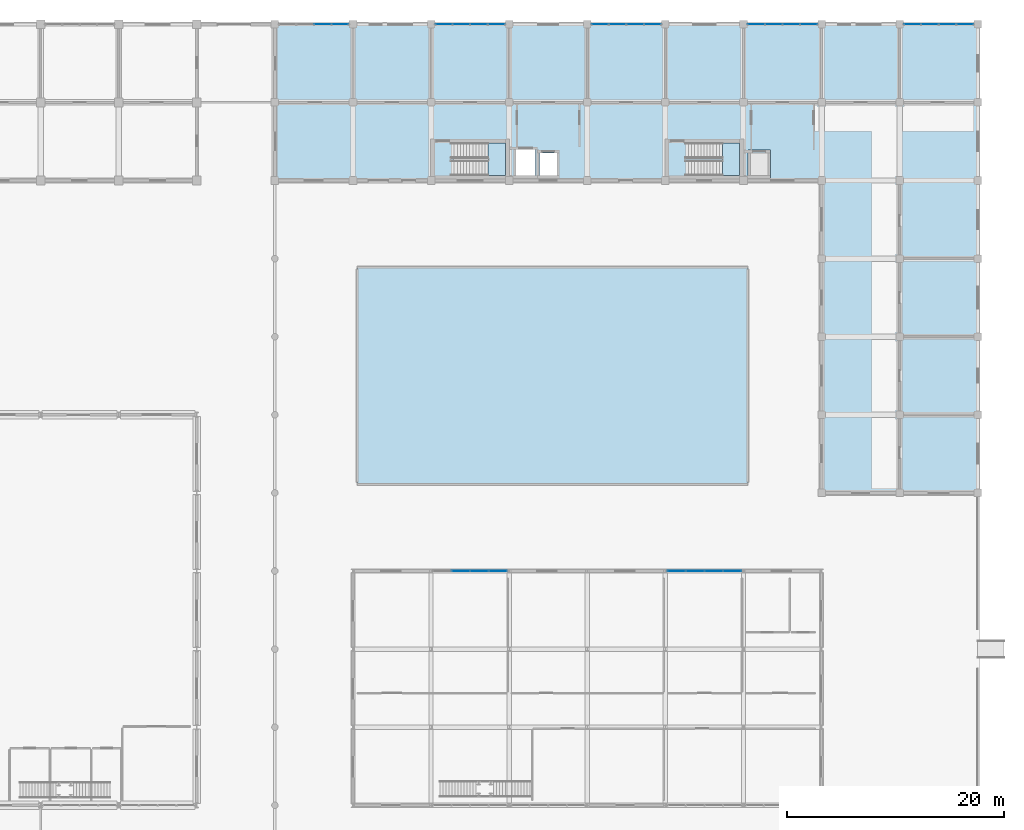
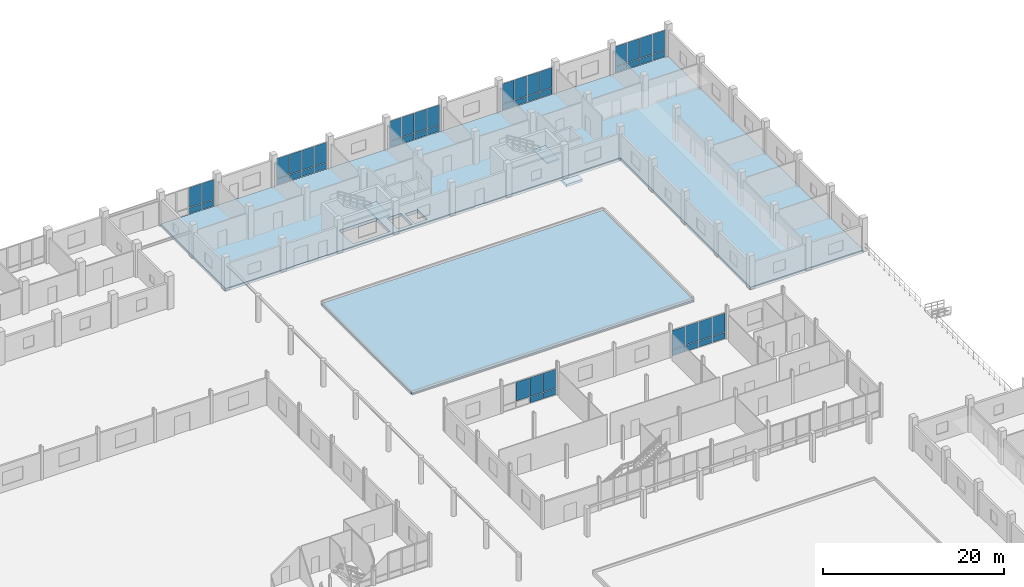
# One storey, part 108 of 139: 49 plates, 5 slabs, 9 elements without a shape of their own.
"""IFC4 building model written with IfcOpenShell, lengths in metres."""

from ifc_helpers import new_model, si_unit, direction, frame, origin, origin_2d, place, context, subcontext, project, spatial, polyline, rectangle, outline, extrude, material, layer, layer_set, type_object, element, aggregate, save


model = new_model("IFC4")

# Units and contexts
model_context = context("Model", 3, precision=1e-05, world=origin(), true_north=direction((0.0, 1.0)))
body_context = subcontext(model_context, "Body", "Model", "MODEL_VIEW")
ifc_project = project(units=[si_unit("LENGTHUNIT", "METRE"), si_unit("AREAUNIT", "SQUARE_METRE"), si_unit("VOLUMEUNIT", "CUBIC_METRE"), si_unit("PLANEANGLEUNIT", "RADIAN"), si_unit("MASSUNIT", "GRAM", prefix="KILO")], contexts=[model_context])

# Site, building, storey
site_placement = place(None, origin())
site = spatial("IfcSite", under=ifc_project, at=site_placement, CompositionType="ELEMENT")
building_placement = place(site_placement, origin())
building = spatial("IfcBuilding", under=site, at=building_placement, Name="Suanplinth Sawtooth Commons", CompositionType="ELEMENT")
storey_placement = place(building_placement, origin())
storey = spatial("IfcBuildingStorey", under=building, at=storey_placement, Name="L00", CompositionType="ELEMENT", Elevation=0.0)

# Curtain wall, plates
ifc_material_1 = material(Name="Anodized aluminium and low-E glazing", Category="aluminium")
curtain_wall_type_1 = type_object("IfcCurtainWallType", Name="CW-02", PredefinedType="USERDEFINED", material=ifc_material_1)
curtain_wall_1_placement = place(storey_placement, origin())
curtain_wall_1 = element("IfcCurtainWall", 1, at=curtain_wall_1_placement, inside=storey, type_object=curtain_wall_type_1, Name="Curtain Wall CW-L00-NURS-N-19", ObjectType="CURTAIN WALL", PredefinedType="USERDEFINED")
ifc_material_2 = material(Name="Tempered low-E double glazing", Category="glass")
ifc_layer_1 = layer(ifc_material_2, 0.028076171875, Name="Vision low-E insulated glazing unit 28mm")
ifc_layer_set_1 = layer_set([ifc_layer_1], Name="Tempered low-E double glazing")
plate_type = type_object("IfcPlateType", Name="PL-05", PredefinedType="CURTAIN_PANEL", material=ifc_layer_set_1)
plate_1_placement = place(storey_placement, frame((139.53759765625, 72.0, 0.9326171875), z_axis=(0.0, 0.0, 1.0), x_axis=(1.0, 0.0, 0.0)))
plate_1 = element("IfcPlate", 2, at=plate_1_placement, type_object=plate_type, Name="CW-02 panel 2.2", PredefinedType="CURTAIN_PANEL", context=body_context, shape_type="SweptSolid", body=[
    extrude(rectangle(XDim=1.659912109375, YDim=0.028076171875, at=origin_2d()), origin(), (0.0, 0.0, 1.0), 2.552490234375),
])
plate_2_placement = place(storey_placement, frame((141.262451171875, 72.0, 0.06494140625), z_axis=(0.0, 0.0, 1.0), x_axis=(1.0, 0.0, 0.0)))
plate_2 = element("IfcPlate", 3, at=plate_2_placement, type_object=plate_type, Name="CW-02 panel 3.1", PredefinedType="CURTAIN_PANEL", context=body_context, shape_type="SweptSolid", body=[
    extrude(rectangle(XDim=1.659912109375, YDim=0.028076171875, at=origin_2d()), origin(), (0.0, 0.0, 1.0), 0.802490234375),
])
plate_3_placement = place(storey_placement, frame((141.262451171875, 72.0, 0.9326171875), z_axis=(0.0, 0.0, 1.0), x_axis=(1.0, 0.0, 0.0)))
plate_3 = element("IfcPlate", 4, at=plate_3_placement, type_object=plate_type, Name="CW-02 panel 3.2", PredefinedType="CURTAIN_PANEL", context=body_context, shape_type="SweptSolid", body=[
    extrude(rectangle(XDim=1.659912109375, YDim=0.028076171875, at=origin_2d()), origin(), (0.0, 0.0, 1.0), 2.552490234375),
])
plate_4_placement = place(storey_placement, frame((142.97119140625, 72.0, 0.06494140625), z_axis=(0.0, 0.0, 1.0), x_axis=(1.0, 0.0, 0.0)))
plate_4 = element("IfcPlate", 5, at=plate_4_placement, type_object=plate_type, Name="CW-02 panel 4.1", PredefinedType="CURTAIN_PANEL", context=body_context, shape_type="SweptSolid", body=[
    extrude(rectangle(XDim=1.62744140625, YDim=0.028076171875, at=origin_2d()), origin(), (0.0, 0.0, 1.0), 0.802490234375),
])
plate_5_placement = place(storey_placement, frame((142.97119140625, 72.0, 0.9326171875), z_axis=(0.0, 0.0, 1.0), x_axis=(1.0, 0.0, 0.0)))
plate_5 = element("IfcPlate", 6, at=plate_5_placement, type_object=plate_type, Name="CW-02 panel 4.2", PredefinedType="CURTAIN_PANEL", context=body_context, shape_type="SweptSolid", body=[
    extrude(rectangle(XDim=1.62744140625, YDim=0.028076171875, at=origin_2d()), origin(), (0.0, 0.0, 1.0), 2.552490234375),
])
aggregate(curtain_wall_1, [plate_1, plate_2, plate_3, plate_4, plate_5])

curtain_wall_2_placement = place(storey_placement, origin())
curtain_wall_2 = element("IfcCurtainWall", 7, at=curtain_wall_2_placement, inside=storey, type_object=curtain_wall_type_1, Name="Curtain Wall CW-L00-NURS-N-22", ObjectType="CURTAIN WALL", PredefinedType="USERDEFINED")
plate_6_placement = place(storey_placement, frame((159.4287109375, 72.0, 0.06494140625), z_axis=(0.0, 0.0, 1.0), x_axis=(1.0, 0.0, 0.0)))
plate_6 = element("IfcPlate", 8, at=plate_6_placement, type_object=plate_type, Name="CW-02 panel 1.1", PredefinedType="CURTAIN_PANEL", context=body_context, shape_type="SweptSolid", body=[
    extrude(rectangle(XDim=1.62744140625, YDim=0.028076171875, at=origin_2d()), origin(), (0.0, 0.0, 1.0), 0.802490234375),
])
plate_7_placement = place(storey_placement, frame((159.4287109375, 72.0, 0.9326171875), z_axis=(0.0, 0.0, 1.0), x_axis=(1.0, 0.0, 0.0)))
plate_7 = element("IfcPlate", 9, at=plate_7_placement, type_object=plate_type, Name="CW-02 panel 1.2", PredefinedType="CURTAIN_PANEL", context=body_context, shape_type="SweptSolid", body=[
    extrude(rectangle(XDim=1.62744140625, YDim=0.028076171875, at=origin_2d()), origin(), (0.0, 0.0, 1.0), 2.552490234375),
])
plate_8_placement = place(storey_placement, frame((161.137451171875, 72.0, 0.06494140625), z_axis=(0.0, 0.0, 1.0), x_axis=(1.0, 0.0, 0.0)))
plate_8 = element("IfcPlate", 10, at=plate_8_placement, type_object=plate_type, Name="CW-02 panel 2.1", PredefinedType="CURTAIN_PANEL", context=body_context, shape_type="SweptSolid", body=[
    extrude(rectangle(XDim=1.659912109375, YDim=0.028076171875, at=origin_2d()), origin(), (0.0, 0.0, 1.0), 0.802490234375),
])
plate_9_placement = place(storey_placement, frame((161.137451171875, 72.0, 0.9326171875), z_axis=(0.0, 0.0, 1.0), x_axis=(1.0, 0.0, 0.0)))
plate_9 = element("IfcPlate", 11, at=plate_9_placement, type_object=plate_type, Name="CW-02 panel 2.2", PredefinedType="CURTAIN_PANEL", context=body_context, shape_type="SweptSolid", body=[
    extrude(rectangle(XDim=1.659912109375, YDim=0.028076171875, at=origin_2d()), origin(), (0.0, 0.0, 1.0), 2.552490234375),
])
plate_10_placement = place(storey_placement, frame((162.862548828125, 72.0, 0.06494140625), z_axis=(0.0, 0.0, 1.0), x_axis=(1.0, 0.0, 0.0)))
plate_10 = element("IfcPlate", 12, at=plate_10_placement, type_object=plate_type, Name="CW-02 panel 3.1", PredefinedType="CURTAIN_PANEL", context=body_context, shape_type="SweptSolid", body=[
    extrude(rectangle(XDim=1.659912109375, YDim=0.028076171875, at=origin_2d()), origin(), (0.0, 0.0, 1.0), 0.802490234375),
])
plate_11_placement = place(storey_placement, frame((162.862548828125, 72.0, 0.9326171875), z_axis=(0.0, 0.0, 1.0), x_axis=(1.0, 0.0, 0.0)))
plate_11 = element("IfcPlate", 13, at=plate_11_placement, type_object=plate_type, Name="CW-02 panel 3.2", PredefinedType="CURTAIN_PANEL", context=body_context, shape_type="SweptSolid", body=[
    extrude(rectangle(XDim=1.659912109375, YDim=0.028076171875, at=origin_2d()), origin(), (0.0, 0.0, 1.0), 2.552490234375),
])
plate_12_placement = place(storey_placement, frame((164.5712890625, 72.0, 0.06494140625), z_axis=(0.0, 0.0, 1.0), x_axis=(1.0, 0.0, 0.0)))
plate_12 = element("IfcPlate", 14, at=plate_12_placement, type_object=plate_type, Name="CW-02 panel 4.1", PredefinedType="CURTAIN_PANEL", context=body_context, shape_type="SweptSolid", body=[
    extrude(rectangle(XDim=1.62744140625, YDim=0.028076171875, at=origin_2d()), origin(), (0.0, 0.0, 1.0), 0.802490234375),
])
plate_13_placement = place(storey_placement, frame((164.5712890625, 72.0, 0.9326171875), z_axis=(0.0, 0.0, 1.0), x_axis=(1.0, 0.0, 0.0)))
plate_13 = element("IfcPlate", 15, at=plate_13_placement, type_object=plate_type, Name="CW-02 panel 4.2", PredefinedType="CURTAIN_PANEL", context=body_context, shape_type="SweptSolid", body=[
    extrude(rectangle(XDim=1.62744140625, YDim=0.028076171875, at=origin_2d()), origin(), (0.0, 0.0, 1.0), 2.552490234375),
])
aggregate(curtain_wall_2, [plate_6, plate_7, plate_8, plate_9, plate_10, plate_11, plate_12, plate_13])

curtain_wall_type_2 = type_object("IfcCurtainWallType", Name="CW-04", PredefinedType="USERDEFINED", material=ifc_material_1)
curtain_wall_3_placement = place(storey_placement, origin())
curtain_wall_3 = element("IfcCurtainWall", 16, at=curtain_wall_3_placement, inside=storey, type_object=curtain_wall_type_2, Name="Curtain Wall CW-L00-B-N-17", ObjectType="CURTAIN WALL", PredefinedType="USERDEFINED")
plate_14_placement = place(storey_placement, frame((126.8125, 122.39990234375, 0.06494140625), z_axis=(0.0, 0.0, 1.0), x_axis=(1.0, 0.0, 0.0)))
plate_14 = element("IfcPlate", 17, at=plate_14_placement, type_object=plate_type, Name="CW-04 panel 3.1", PredefinedType="CURTAIN_PANEL", context=body_context, shape_type="SweptSolid", body=[
    extrude(rectangle(XDim=1.56005859375, YDim=0.028076171875, at=origin_2d()), origin(), (0.0, 0.0, 1.0), 0.802490234375),
])
plate_15_placement = place(storey_placement, frame((126.8125, 122.39990234375, 0.932373046875), z_axis=(0.0, 0.0, 1.0), x_axis=(1.0, 0.0, 0.0)))
plate_15 = element("IfcPlate", 18, at=plate_15_placement, type_object=plate_type, Name="CW-04 panel 3.2", PredefinedType="CURTAIN_PANEL", context=body_context, shape_type="SweptSolid", body=[
    extrude(rectangle(XDim=1.56005859375, YDim=0.028076171875, at=origin_2d()), origin(), (0.0, 0.0, 1.0), 2.6826171875),
])
plate_16_placement = place(storey_placement, frame((128.421142578125, 122.39990234375, 0.06494140625), z_axis=(0.0, 0.0, 1.0), x_axis=(1.0, 0.0, 0.0)))
plate_16 = element("IfcPlate", 19, at=plate_16_placement, type_object=plate_type, Name="CW-04 panel 4.1", PredefinedType="CURTAIN_PANEL", context=body_context, shape_type="SweptSolid", body=[
    extrude(rectangle(XDim=1.527587890625, YDim=0.028076171875, at=origin_2d()), origin(), (0.0, 0.0, 1.0), 0.802490234375),
])
plate_17_placement = place(storey_placement, frame((128.421142578125, 122.39990234375, 0.932373046875), z_axis=(0.0, 0.0, 1.0), x_axis=(1.0, 0.0, 0.0)))
plate_17 = element("IfcPlate", 20, at=plate_17_placement, type_object=plate_type, Name="CW-04 panel 4.2", PredefinedType="CURTAIN_PANEL", context=body_context, shape_type="SweptSolid", body=[
    extrude(rectangle(XDim=1.527587890625, YDim=0.028076171875, at=origin_2d()), origin(), (0.0, 0.0, 1.0), 2.6826171875),
])
aggregate(curtain_wall_3, [plate_14, plate_15, plate_16, plate_17])

curtain_wall_4_placement = place(storey_placement, origin())
curtain_wall_4 = element("IfcCurtainWall", 21, at=curtain_wall_4_placement, inside=storey, type_object=curtain_wall_type_2, Name="Curtain Wall CW-L00-B-N-19", ObjectType="CURTAIN WALL", PredefinedType="USERDEFINED")
plate_18_placement = place(storey_placement, frame((137.978759765625, 122.39990234375, 0.06494140625), z_axis=(0.0, 0.0, 1.0), x_axis=(1.0, 0.0, 0.0)))
plate_18 = element("IfcPlate", 22, at=plate_18_placement, type_object=plate_type, Name="CW-04 panel 1.1", PredefinedType="CURTAIN_PANEL", context=body_context, shape_type="SweptSolid", body=[
    extrude(rectangle(XDim=1.527587890625, YDim=0.028076171875, at=origin_2d()), origin(), (0.0, 0.0, 1.0), 0.802490234375),
])
plate_19_placement = place(storey_placement, frame((137.978759765625, 122.39990234375, 0.932373046875), z_axis=(0.0, 0.0, 1.0), x_axis=(1.0, 0.0, 0.0)))
plate_19 = element("IfcPlate", 23, at=plate_19_placement, type_object=plate_type, Name="CW-04 panel 1.2", PredefinedType="CURTAIN_PANEL", context=body_context, shape_type="SweptSolid", body=[
    extrude(rectangle(XDim=1.527587890625, YDim=0.028076171875, at=origin_2d()), origin(), (0.0, 0.0, 1.0), 2.6826171875),
])
plate_20_placement = place(storey_placement, frame((139.58740234375, 122.39990234375, 0.06494140625), z_axis=(0.0, 0.0, 1.0), x_axis=(1.0, 0.0, 0.0)))
plate_20 = element("IfcPlate", 24, at=plate_20_placement, type_object=plate_type, Name="CW-04 panel 2.1", PredefinedType="CURTAIN_PANEL", context=body_context, shape_type="SweptSolid", body=[
    extrude(rectangle(XDim=1.56005859375, YDim=0.028076171875, at=origin_2d()), origin(), (0.0, 0.0, 1.0), 0.802490234375),
])
plate_21_placement = place(storey_placement, frame((139.58740234375, 122.39990234375, 0.932373046875), z_axis=(0.0, 0.0, 1.0), x_axis=(1.0, 0.0, 0.0)))
plate_21 = element("IfcPlate", 25, at=plate_21_placement, type_object=plate_type, Name="CW-04 panel 2.2", PredefinedType="CURTAIN_PANEL", context=body_context, shape_type="SweptSolid", body=[
    extrude(rectangle(XDim=1.56005859375, YDim=0.028076171875, at=origin_2d()), origin(), (0.0, 0.0, 1.0), 2.6826171875),
])
plate_22_placement = place(storey_placement, frame((141.21240234375, 122.39990234375, 0.06494140625), z_axis=(0.0, 0.0, 1.0), x_axis=(1.0, 0.0, 0.0)))
plate_22 = element("IfcPlate", 26, at=plate_22_placement, type_object=plate_type, Name="CW-04 panel 3.1", PredefinedType="CURTAIN_PANEL", context=body_context, shape_type="SweptSolid", body=[
    extrude(rectangle(XDim=1.56005859375, YDim=0.028076171875, at=origin_2d()), origin(), (0.0, 0.0, 1.0), 0.802490234375),
])
plate_23_placement = place(storey_placement, frame((141.21240234375, 122.39990234375, 0.932373046875), z_axis=(0.0, 0.0, 1.0), x_axis=(1.0, 0.0, 0.0)))
plate_23 = element("IfcPlate", 27, at=plate_23_placement, type_object=plate_type, Name="CW-04 panel 3.2", PredefinedType="CURTAIN_PANEL", context=body_context, shape_type="SweptSolid", body=[
    extrude(rectangle(XDim=1.56005859375, YDim=0.028076171875, at=origin_2d()), origin(), (0.0, 0.0, 1.0), 2.6826171875),
])
plate_24_placement = place(storey_placement, frame((142.8212890625, 122.39990234375, 0.06494140625), z_axis=(0.0, 0.0, 1.0), x_axis=(1.0, 0.0, 0.0)))
plate_24 = element("IfcPlate", 28, at=plate_24_placement, type_object=plate_type, Name="CW-04 panel 4.1", PredefinedType="CURTAIN_PANEL", context=body_context, shape_type="SweptSolid", body=[
    extrude(rectangle(XDim=1.527587890625, YDim=0.028076171875, at=origin_2d()), origin(), (0.0, 0.0, 1.0), 0.802490234375),
])
plate_25_placement = place(storey_placement, frame((142.8212890625, 122.39990234375, 0.932373046875), z_axis=(0.0, 0.0, 1.0), x_axis=(1.0, 0.0, 0.0)))
plate_25 = element("IfcPlate", 29, at=plate_25_placement, type_object=plate_type, Name="CW-04 panel 4.2", PredefinedType="CURTAIN_PANEL", context=body_context, shape_type="SweptSolid", body=[
    extrude(rectangle(XDim=1.527587890625, YDim=0.028076171875, at=origin_2d()), origin(), (0.0, 0.0, 1.0), 2.6826171875),
])
aggregate(curtain_wall_4, [plate_18, plate_19, plate_20, plate_21, plate_22, plate_23, plate_24, plate_25])

curtain_wall_5_placement = place(storey_placement, origin())
curtain_wall_5 = element("IfcCurtainWall", 30, at=curtain_wall_5_placement, inside=storey, type_object=curtain_wall_type_2, Name="Curtain Wall CW-L00-B-N-21", ObjectType="CURTAIN WALL", PredefinedType="USERDEFINED")
plate_26_placement = place(storey_placement, frame((152.378662109375, 122.39990234375, 0.06494140625), z_axis=(0.0, 0.0, 1.0), x_axis=(1.0, 0.0, 0.0)))
plate_26 = element("IfcPlate", 31, at=plate_26_placement, type_object=plate_type, Name="CW-04 panel 1.1", PredefinedType="CURTAIN_PANEL", context=body_context, shape_type="SweptSolid", body=[
    extrude(rectangle(XDim=1.527587890625, YDim=0.028076171875, at=origin_2d()), origin(), (0.0, 0.0, 1.0), 0.802490234375),
])
plate_27_placement = place(storey_placement, frame((152.378662109375, 122.39990234375, 0.932373046875), z_axis=(0.0, 0.0, 1.0), x_axis=(1.0, 0.0, 0.0)))
plate_27 = element("IfcPlate", 32, at=plate_27_placement, type_object=plate_type, Name="CW-04 panel 1.2", PredefinedType="CURTAIN_PANEL", context=body_context, shape_type="SweptSolid", body=[
    extrude(rectangle(XDim=1.527587890625, YDim=0.028076171875, at=origin_2d()), origin(), (0.0, 0.0, 1.0), 2.6826171875),
])
plate_28_placement = place(storey_placement, frame((153.987548828125, 122.39990234375, 0.06494140625), z_axis=(0.0, 0.0, 1.0), x_axis=(1.0, 0.0, 0.0)))
plate_28 = element("IfcPlate", 33, at=plate_28_placement, type_object=plate_type, Name="CW-04 panel 2.1", PredefinedType="CURTAIN_PANEL", context=body_context, shape_type="SweptSolid", body=[
    extrude(rectangle(XDim=1.56005859375, YDim=0.028076171875, at=origin_2d()), origin(), (0.0, 0.0, 1.0), 0.802490234375),
])
plate_29_placement = place(storey_placement, frame((153.987548828125, 122.39990234375, 0.932373046875), z_axis=(0.0, 0.0, 1.0), x_axis=(1.0, 0.0, 0.0)))
plate_29 = element("IfcPlate", 34, at=plate_29_placement, type_object=plate_type, Name="CW-04 panel 2.2", PredefinedType="CURTAIN_PANEL", context=body_context, shape_type="SweptSolid", body=[
    extrude(rectangle(XDim=1.56005859375, YDim=0.028076171875, at=origin_2d()), origin(), (0.0, 0.0, 1.0), 2.6826171875),
])
plate_30_placement = place(storey_placement, frame((155.612548828125, 122.39990234375, 0.06494140625), z_axis=(0.0, 0.0, 1.0), x_axis=(1.0, 0.0, 0.0)))
plate_30 = element("IfcPlate", 35, at=plate_30_placement, type_object=plate_type, Name="CW-04 panel 3.1", PredefinedType="CURTAIN_PANEL", context=body_context, shape_type="SweptSolid", body=[
    extrude(rectangle(XDim=1.56005859375, YDim=0.028076171875, at=origin_2d()), origin(), (0.0, 0.0, 1.0), 0.802490234375),
])
plate_31_placement = place(storey_placement, frame((155.612548828125, 122.39990234375, 0.932373046875), z_axis=(0.0, 0.0, 1.0), x_axis=(1.0, 0.0, 0.0)))
plate_31 = element("IfcPlate", 36, at=plate_31_placement, type_object=plate_type, Name="CW-04 panel 3.2", PredefinedType="CURTAIN_PANEL", context=body_context, shape_type="SweptSolid", body=[
    extrude(rectangle(XDim=1.56005859375, YDim=0.028076171875, at=origin_2d()), origin(), (0.0, 0.0, 1.0), 2.6826171875),
])
plate_32_placement = place(storey_placement, frame((157.22119140625, 122.39990234375, 0.06494140625), z_axis=(0.0, 0.0, 1.0), x_axis=(1.0, 0.0, 0.0)))
plate_32 = element("IfcPlate", 37, at=plate_32_placement, type_object=plate_type, Name="CW-04 panel 4.1", PredefinedType="CURTAIN_PANEL", context=body_context, shape_type="SweptSolid", body=[
    extrude(rectangle(XDim=1.527587890625, YDim=0.028076171875, at=origin_2d()), origin(), (0.0, 0.0, 1.0), 0.802490234375),
])
plate_33_placement = place(storey_placement, frame((157.22119140625, 122.39990234375, 0.932373046875), z_axis=(0.0, 0.0, 1.0), x_axis=(1.0, 0.0, 0.0)))
plate_33 = element("IfcPlate", 38, at=plate_33_placement, type_object=plate_type, Name="CW-04 panel 4.2", PredefinedType="CURTAIN_PANEL", context=body_context, shape_type="SweptSolid", body=[
    extrude(rectangle(XDim=1.527587890625, YDim=0.028076171875, at=origin_2d()), origin(), (0.0, 0.0, 1.0), 2.6826171875),
])
aggregate(curtain_wall_5, [plate_26, plate_27, plate_28, plate_29, plate_30, plate_31, plate_32, plate_33])

curtain_wall_6_placement = place(storey_placement, origin())
curtain_wall_6 = element("IfcCurtainWall", 39, at=curtain_wall_6_placement, inside=storey, type_object=curtain_wall_type_2, Name="Curtain Wall CW-L00-B-N-23", ObjectType="CURTAIN WALL", PredefinedType="USERDEFINED")
plate_34_placement = place(storey_placement, frame((166.77880859375, 122.39990234375, 0.06494140625), z_axis=(0.0, 0.0, 1.0), x_axis=(1.0, 0.0, 0.0)))
plate_34 = element("IfcPlate", 40, at=plate_34_placement, type_object=plate_type, Name="CW-04 panel 1.1", PredefinedType="CURTAIN_PANEL", context=body_context, shape_type="SweptSolid", body=[
    extrude(rectangle(XDim=1.527587890625, YDim=0.028076171875, at=origin_2d()), origin(), (0.0, 0.0, 1.0), 0.802490234375),
])
plate_35_placement = place(storey_placement, frame((166.77880859375, 122.39990234375, 0.932373046875), z_axis=(0.0, 0.0, 1.0), x_axis=(1.0, 0.0, 0.0)))
plate_35 = element("IfcPlate", 41, at=plate_35_placement, type_object=plate_type, Name="CW-04 panel 1.2", PredefinedType="CURTAIN_PANEL", context=body_context, shape_type="SweptSolid", body=[
    extrude(rectangle(XDim=1.527587890625, YDim=0.028076171875, at=origin_2d()), origin(), (0.0, 0.0, 1.0), 2.6826171875),
])
plate_36_placement = place(storey_placement, frame((168.387451171875, 122.39990234375, 0.06494140625), z_axis=(0.0, 0.0, 1.0), x_axis=(1.0, 0.0, 0.0)))
plate_36 = element("IfcPlate", 42, at=plate_36_placement, type_object=plate_type, Name="CW-04 panel 2.1", PredefinedType="CURTAIN_PANEL", context=body_context, shape_type="SweptSolid", body=[
    extrude(rectangle(XDim=1.56005859375, YDim=0.028076171875, at=origin_2d()), origin(), (0.0, 0.0, 1.0), 0.802490234375),
])
plate_37_placement = place(storey_placement, frame((168.387451171875, 122.39990234375, 0.932373046875), z_axis=(0.0, 0.0, 1.0), x_axis=(1.0, 0.0, 0.0)))
plate_37 = element("IfcPlate", 43, at=plate_37_placement, type_object=plate_type, Name="CW-04 panel 2.2", PredefinedType="CURTAIN_PANEL", context=body_context, shape_type="SweptSolid", body=[
    extrude(rectangle(XDim=1.56005859375, YDim=0.028076171875, at=origin_2d()), origin(), (0.0, 0.0, 1.0), 2.6826171875),
])
plate_38_placement = place(storey_placement, frame((170.012451171875, 122.39990234375, 0.06494140625), z_axis=(0.0, 0.0, 1.0), x_axis=(1.0, 0.0, 0.0)))
plate_38 = element("IfcPlate", 44, at=plate_38_placement, type_object=plate_type, Name="CW-04 panel 3.1", PredefinedType="CURTAIN_PANEL", context=body_context, shape_type="SweptSolid", body=[
    extrude(rectangle(XDim=1.56005859375, YDim=0.028076171875, at=origin_2d()), origin(), (0.0, 0.0, 1.0), 0.802490234375),
])
plate_39_placement = place(storey_placement, frame((170.012451171875, 122.39990234375, 0.932373046875), z_axis=(0.0, 0.0, 1.0), x_axis=(1.0, 0.0, 0.0)))
plate_39 = element("IfcPlate", 45, at=plate_39_placement, type_object=plate_type, Name="CW-04 panel 3.2", PredefinedType="CURTAIN_PANEL", context=body_context, shape_type="SweptSolid", body=[
    extrude(rectangle(XDim=1.56005859375, YDim=0.028076171875, at=origin_2d()), origin(), (0.0, 0.0, 1.0), 2.6826171875),
])
plate_40_placement = place(storey_placement, frame((171.621337890625, 122.39990234375, 0.06494140625), z_axis=(0.0, 0.0, 1.0), x_axis=(1.0, 0.0, 0.0)))
plate_40 = element("IfcPlate", 46, at=plate_40_placement, type_object=plate_type, Name="CW-04 panel 4.1", PredefinedType="CURTAIN_PANEL", context=body_context, shape_type="SweptSolid", body=[
    extrude(rectangle(XDim=1.527587890625, YDim=0.028076171875, at=origin_2d()), origin(), (0.0, 0.0, 1.0), 0.802490234375),
])
plate_41_placement = place(storey_placement, frame((171.621337890625, 122.39990234375, 0.932373046875), z_axis=(0.0, 0.0, 1.0), x_axis=(1.0, 0.0, 0.0)))
plate_41 = element("IfcPlate", 47, at=plate_41_placement, type_object=plate_type, Name="CW-04 panel 4.2", PredefinedType="CURTAIN_PANEL", context=body_context, shape_type="SweptSolid", body=[
    extrude(rectangle(XDim=1.527587890625, YDim=0.028076171875, at=origin_2d()), origin(), (0.0, 0.0, 1.0), 2.6826171875),
])
aggregate(curtain_wall_6, [plate_34, plate_35, plate_36, plate_37, plate_38, plate_39, plate_40, plate_41])

curtain_wall_7_placement = place(storey_placement, origin())
curtain_wall_7 = element("IfcCurtainWall", 48, at=curtain_wall_7_placement, inside=storey, type_object=curtain_wall_type_2, Name="Curtain Wall CW-L00-B-N-25", ObjectType="CURTAIN WALL", PredefinedType="USERDEFINED")
plate_42_placement = place(storey_placement, frame((181.1787109375, 122.39990234375, 0.06494140625), z_axis=(0.0, 0.0, 1.0), x_axis=(1.0, 0.0, 0.0)))
plate_42 = element("IfcPlate", 49, at=plate_42_placement, type_object=plate_type, Name="CW-04 panel 1.1", PredefinedType="CURTAIN_PANEL", context=body_context, shape_type="SweptSolid", body=[
    extrude(rectangle(XDim=1.527587890625, YDim=0.028076171875, at=origin_2d()), origin(), (0.0, 0.0, 1.0), 0.802490234375),
])
plate_43_placement = place(storey_placement, frame((181.1787109375, 122.39990234375, 0.932373046875), z_axis=(0.0, 0.0, 1.0), x_axis=(1.0, 0.0, 0.0)))
plate_43 = element("IfcPlate", 50, at=plate_43_placement, type_object=plate_type, Name="CW-04 panel 1.2", PredefinedType="CURTAIN_PANEL", context=body_context, shape_type="SweptSolid", body=[
    extrude(rectangle(XDim=1.527587890625, YDim=0.028076171875, at=origin_2d()), origin(), (0.0, 0.0, 1.0), 2.6826171875),
])
plate_44_placement = place(storey_placement, frame((182.78759765625, 122.39990234375, 0.06494140625), z_axis=(0.0, 0.0, 1.0), x_axis=(1.0, 0.0, 0.0)))
plate_44 = element("IfcPlate", 51, at=plate_44_placement, type_object=plate_type, Name="CW-04 panel 2.1", PredefinedType="CURTAIN_PANEL", context=body_context, shape_type="SweptSolid", body=[
    extrude(rectangle(XDim=1.56005859375, YDim=0.028076171875, at=origin_2d()), origin(), (0.0, 0.0, 1.0), 0.802490234375),
])
plate_45_placement = place(storey_placement, frame((182.78759765625, 122.39990234375, 0.932373046875), z_axis=(0.0, 0.0, 1.0), x_axis=(1.0, 0.0, 0.0)))
plate_45 = element("IfcPlate", 52, at=plate_45_placement, type_object=plate_type, Name="CW-04 panel 2.2", PredefinedType="CURTAIN_PANEL", context=body_context, shape_type="SweptSolid", body=[
    extrude(rectangle(XDim=1.56005859375, YDim=0.028076171875, at=origin_2d()), origin(), (0.0, 0.0, 1.0), 2.6826171875),
])
plate_46_placement = place(storey_placement, frame((184.41259765625, 122.39990234375, 0.06494140625), z_axis=(0.0, 0.0, 1.0), x_axis=(1.0, 0.0, 0.0)))
plate_46 = element("IfcPlate", 53, at=plate_46_placement, type_object=plate_type, Name="CW-04 panel 3.1", PredefinedType="CURTAIN_PANEL", context=body_context, shape_type="SweptSolid", body=[
    extrude(rectangle(XDim=1.56005859375, YDim=0.028076171875, at=origin_2d()), origin(), (0.0, 0.0, 1.0), 0.802490234375),
])
plate_47_placement = place(storey_placement, frame((184.41259765625, 122.39990234375, 0.932373046875), z_axis=(0.0, 0.0, 1.0), x_axis=(1.0, 0.0, 0.0)))
plate_47 = element("IfcPlate", 54, at=plate_47_placement, type_object=plate_type, Name="CW-04 panel 3.2", PredefinedType="CURTAIN_PANEL", context=body_context, shape_type="SweptSolid", body=[
    extrude(rectangle(XDim=1.56005859375, YDim=0.028076171875, at=origin_2d()), origin(), (0.0, 0.0, 1.0), 2.6826171875),
])
plate_48_placement = place(storey_placement, frame((186.021240234375, 122.39990234375, 0.06494140625), z_axis=(0.0, 0.0, 1.0), x_axis=(1.0, 0.0, 0.0)))
plate_48 = element("IfcPlate", 55, at=plate_48_placement, type_object=plate_type, Name="CW-04 panel 4.1", PredefinedType="CURTAIN_PANEL", context=body_context, shape_type="SweptSolid", body=[
    extrude(rectangle(XDim=1.527587890625, YDim=0.028076171875, at=origin_2d()), origin(), (0.0, 0.0, 1.0), 0.802490234375),
])
plate_49_placement = place(storey_placement, frame((186.021240234375, 122.39990234375, 0.932373046875), z_axis=(0.0, 0.0, 1.0), x_axis=(1.0, 0.0, 0.0)))
plate_49 = element("IfcPlate", 56, at=plate_49_placement, type_object=plate_type, Name="CW-04 panel 4.2", PredefinedType="CURTAIN_PANEL", context=body_context, shape_type="SweptSolid", body=[
    extrude(rectangle(XDim=1.527587890625, YDim=0.028076171875, at=origin_2d()), origin(), (0.0, 0.0, 1.0), 2.6826171875),
])
aggregate(curtain_wall_7, [plate_42, plate_43, plate_44, plate_45, plate_46, plate_47, plate_48, plate_49])

# Slab
ifc_material_3 = material(Name="Concrete C35/45", Category="concrete")
ifc_layer_2 = layer(ifc_material_3, 0.419921875, Name="Ground plinth structural mat slab 420mm")
ifc_layer_set_2 = layer_set([ifc_layer_2], Name="Concrete C35/45")
slab_type_1 = type_object("IfcSlabType", Name="S-BS02", PredefinedType="BASESLAB", material=ifc_layer_set_2)
slab_1_placement = place(storey_placement, frame((0.0, 0.0, -0.419921875)))
element("IfcSlab", 57, at=slab_1_placement, inside=storey, type_object=slab_type_1, Name="L00 Block B Structural Floor Plate", PredefinedType="BASESLAB", context=body_context, shape_type="SweptSolid", body=[
    extrude(outline(polyline([(172.800048828125, 108.0), (122.39990234375, 108.0), (122.39990234375, 122.39990234375), (187.199951171875, 122.39990234375), (187.199951171875, 79.199951171875), (172.800048828125, 79.199951171875), (172.800048828125, 108.0)]), holes=[polyline([(138.889892578125, 108.449951171875), (143.64990234375, 108.449951171875), (143.64990234375, 111.449951171875), (138.889892578125, 111.449951171875), (138.889892578125, 108.449951171875)]), polyline([(144.64990234375, 108.449951171875), (146.449951171875, 108.449951171875), (146.449951171875, 110.85009765625), (144.64990234375, 110.85009765625), (144.64990234375, 108.449951171875)]), polyline([(146.800048828125, 108.449951171875), (148.39990234375, 108.449951171875), (148.39990234375, 110.550048828125), (146.800048828125, 110.550048828125), (146.800048828125, 108.449951171875)])]), origin(), (0.0, 0.0, 1.0), 0.419921875),
])

# Stair, slab
ifc_material_4 = material(Name="Concrete C40/50", Category="concrete")
stair_type = type_object("IfcStairType", Name="ST-06", PredefinedType="USERDEFINED", material=ifc_material_4)
stair_1_placement = place(storey_placement, origin())
stair_1 = element("IfcStair", 58, at=stair_1_placement, inside=storey, type_object=stair_type, Name="L00 Exit Stair ST-E1", ObjectType="TWO_RETURN_STAIR", PredefinedType="USERDEFINED")
ifc_layer_3 = layer(ifc_material_4, 0.199951171875, Name="Reinforced concrete stair and ramp landing slab 200mm")
ifc_layer_set_3 = layer_set([ifc_layer_3], Name="Concrete C40/50")
slab_type_2 = type_object("IfcSlabType", Name="S-LD01", PredefinedType="LANDING", material=ifc_layer_set_3)
slab_2_placement = place(storey_placement, frame((0.0, 0.0, 2.050048828125)))
slab_2 = element("IfcSlab", 59, at=slab_2_placement, type_object=slab_type_2, Name="ST-06 landing 1", PredefinedType="LANDING", context=body_context, shape_type="SweptSolid", body=[
    extrude(outline(polyline([(142.070068359375, 108.449951171875), (143.64990234375, 108.449951171875), (143.64990234375, 111.449951171875), (142.070068359375, 111.449951171875), (142.070068359375, 108.449951171875)])), origin(), (0.0, 0.0, 1.0), 0.199951171875),
])
aggregate(stair_1, [slab_2])

stair_2_placement = place(storey_placement, origin())
stair_2 = element("IfcStair", 60, at=stair_2_placement, inside=storey, type_object=stair_type, Name="L00 Exit Stair ST-E2", ObjectType="TWO_RETURN_STAIR", PredefinedType="USERDEFINED")
slab_3_placement = place(storey_placement, frame((0.0, 0.0, 2.050048828125)))
slab_3 = element("IfcSlab", 61, at=slab_3_placement, type_object=slab_type_2, Name="ST-06 landing 1", PredefinedType="LANDING", context=body_context, shape_type="SweptSolid", body=[
    extrude(outline(polyline([(163.669921875, 108.449951171875), (165.25, 108.449951171875), (165.25, 111.449951171875), (163.669921875, 111.449951171875), (163.669921875, 108.449951171875)])), origin(), (0.0, 0.0, 1.0), 0.199951171875),
])
aggregate(stair_2, [slab_3])

# Slabs
ifc_layer_4 = layer(ifc_material_3, 0.320068359375, Name="Waterproof reinforced concrete lift pit base slab 320mm")
ifc_layer_set_4 = layer_set([ifc_layer_4], Name="Concrete C35/45")
slab_type_3 = type_object("IfcSlabType", Name="S-PT01", PredefinedType="BASESLAB", material=ifc_layer_set_4)
slab_4_placement = place(storey_placement, frame((0.0, 0.0, -1.669921875)))
element("IfcSlab", 62, at=slab_4_placement, inside=storey, type_object=slab_type_3, Name="Lift Pit Base Slab LF4", PredefinedType="BASESLAB", context=body_context, shape_type="SweptSolid", body=[
    extrude(outline(polyline([(166.0, 108.199951171875), (168.10009765625, 108.199951171875), (168.10009765625, 110.800048828125), (166.0, 110.800048828125), (166.0, 108.199951171875)])), origin(), (0.0, 0.0, 1.0), 0.31982421875),
])
ifc_layer_5 = layer(ifc_material_4, 0.18994140625, Name="Courtyard tropical rain-garden bed slab 190mm")
ifc_layer_set_5 = layer_set([ifc_layer_5], Name="Concrete C40/50")
slab_type_4 = type_object("IfcSlabType", Name="S-TR02", PredefinedType="FLOOR", material=ifc_layer_set_5)
slab_5_placement = place(storey_placement, origin())
element("IfcSlab", 63, at=slab_5_placement, inside=storey, type_object=slab_type_4, Name="North-East Courtyard Banyan Shade Garden", PredefinedType="FLOOR", context=body_context, shape_type="SweptSolid", body=[
    extrude(outline(polyline([(130.0, 80.0), (166.0, 80.0), (166.0, 100.0), (130.0, 100.0), (130.0, 80.0)])), origin(), (0.0, 0.0, 1.0), 0.18994140625),
])

save(model, "model.ifc")
